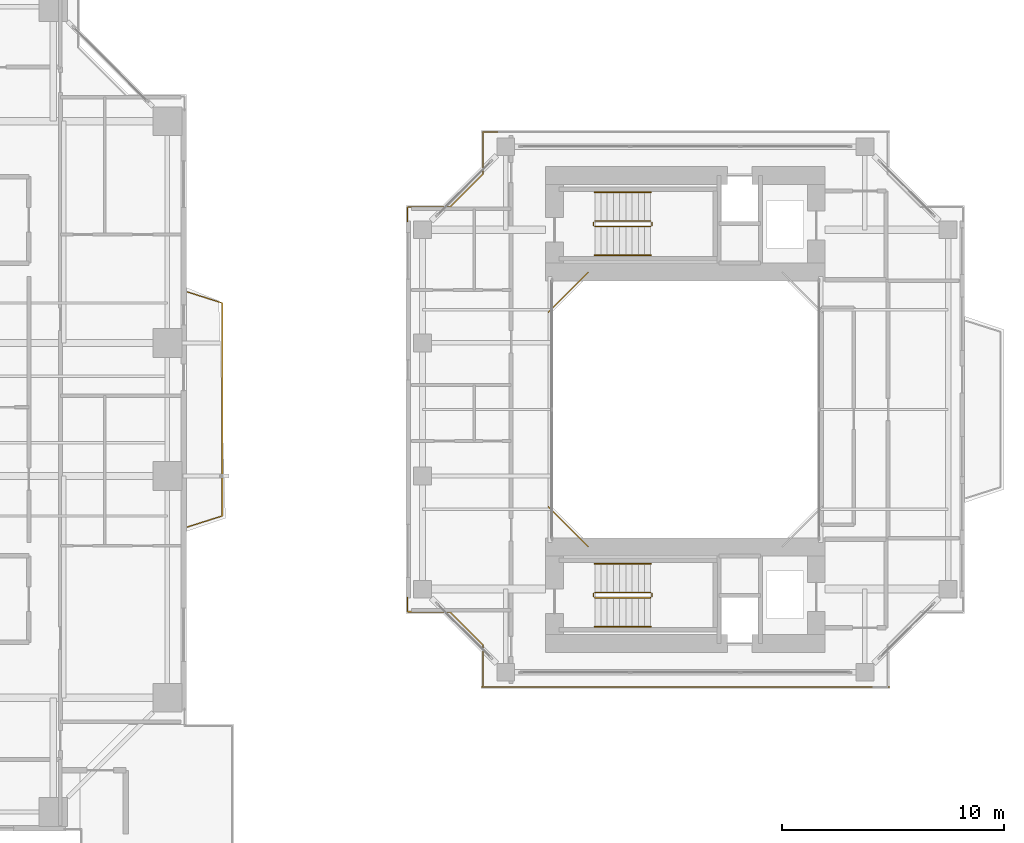
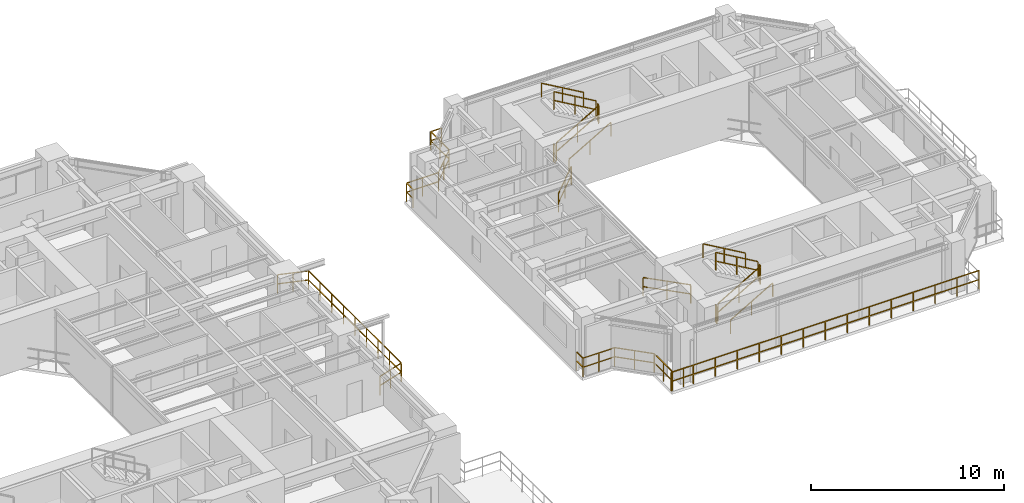
# One storey, part 22 of 23: 18 railings.
"""IFC4 building model written with IfcOpenShell, lengths in metres."""

from ifc_helpers import new_model, si_unit, direction, frame, origin, origin_2d, place, context, subcontext, project, spatial, rectangle, extrude, material, type_object, element, save


model = new_model("IFC4")

# Units and contexts
model_context = context("Model", 3, precision=1e-05, world=origin(), true_north=direction((0.0, 1.0)))
body_context = subcontext(model_context, "Body", "Model", "MODEL_VIEW")
ifc_project = project(units=[si_unit("LENGTHUNIT", "METRE"), si_unit("AREAUNIT", "SQUARE_METRE"), si_unit("VOLUMEUNIT", "CUBIC_METRE"), si_unit("PLANEANGLEUNIT", "RADIAN"), si_unit("MASSUNIT", "GRAM", prefix="KILO"), si_unit("THERMODYNAMICTEMPERATUREUNIT", "KELVIN"), si_unit("POWERUNIT", "WATT")], contexts=[model_context])

# Site, building, storey
site_placement = place(None, origin())
site = spatial("IfcSite", under=ifc_project, at=site_placement, CompositionType="ELEMENT")
building_placement = place(site_placement, origin())
building = spatial("IfcBuilding", under=site, at=building_placement, Name="Qiaomeng Ring Towers", CompositionType="ELEMENT")
storey_placement = place(building_placement, frame((0.0, 0.0, 73.0)))
storey = spatial("IfcBuildingStorey", under=building, at=storey_placement, Name="L20", CompositionType="ELEMENT", Elevation=73.0)

# Railings
ifc_material_1 = material(Name="Low-E pale-green laminated safety glass", Category="glass")
railing_type_1 = type_object("IfcRailingType", Name="ARC-RL-BAL1", PredefinedType="BALUSTRADE", material=ifc_material_1)
railing_1_placement = place(storey_placement, frame((38.050048828125, 17.699951171875, 0.0)))
element("IfcRailing", 1, at=railing_1_placement, inside=storey, type_object=railing_type_1, Name="L20 Balustrade ARC-BAL-L20-T1-E", PredefinedType="BALUSTRADE", context=body_context, shape_type="SweptSolid", body=[
    extrude(rectangle(XDim=0.048095703125, YDim=0.048095703125, at=origin_2d()), frame((0.0, 0.0, 1.17578125), z_axis=(0.952849860715, 0.303442157479, 0.0), x_axis=(-0.303442157479, 0.952849860715, 0.0)), (0.0, 0.0, 1.0), 1.647705078125),
    extrude(rectangle(XDim=0.048095703125, YDim=0.048095703125, at=origin_2d()), frame((0.0, 0.0, 0.60009765625), z_axis=(0.952849860715, 0.303442157479, 0.0), x_axis=(-0.303442157479, 0.952849860715, 0.0)), (0.0, 0.0, 1.0), 1.647705078125),
    extrude(rectangle(XDim=0.048095703125, YDim=0.048095703125, at=origin_2d()), frame((1.570068359375, 0.5, 1.17578125), z_axis=(0.0, 1.0, 0.0), x_axis=(-1.0, 0.0, 0.0)), (0.0, 0.0, 1.0), 9.60009765625),
    extrude(rectangle(XDim=0.048095703125, YDim=0.048095703125, at=origin_2d()), frame((1.570068359375, 0.5, 0.60009765625), z_axis=(0.0, 1.0, 0.0), x_axis=(-1.0, 0.0, 0.0)), (0.0, 0.0, 1.0), 9.60009765625),
    extrude(rectangle(XDim=0.048095703125, YDim=0.048095703125, at=origin_2d()), frame((1.570068359375, 10.10009765625, 1.17578125), z_axis=(-0.952849860715, 0.303442157479, 0.0), x_axis=(-0.303442157479, -0.952849860715, 0.0)), (0.0, 0.0, 1.0), 1.647705078125),
    extrude(rectangle(XDim=0.048095703125, YDim=0.048095703125, at=origin_2d()), frame((1.570068359375, 10.10009765625, 0.60009765625), z_axis=(-0.952849860715, 0.303442157479, 0.0), x_axis=(-0.303442157479, -0.952849860715, 0.0)), (0.0, 0.0, 1.0), 1.647705078125),
    extrude(rectangle(XDim=0.0419921875, YDim=0.0419921875, at=origin_2d()), origin(), (0.0, 0.0, 1.0), 1.15185546875),
    extrude(rectangle(XDim=0.0419921875, YDim=0.0419921875, at=origin_2d()), frame((0.78515625, 0.25, 0.0)), (0.0, 0.0, 1.0), 1.15185546875),
    extrude(rectangle(XDim=0.0419921875, YDim=0.0419921875, at=origin_2d()), frame((1.570068359375, 0.5, 0.0)), (0.0, 0.0, 1.0), 1.15185546875),
    extrude(rectangle(XDim=0.0419921875, YDim=0.0419921875, at=origin_2d()), frame((1.570068359375, 1.699951171875, 0.0)), (0.0, 0.0, 1.0), 1.15185546875),
    extrude(rectangle(XDim=0.0419921875, YDim=0.0419921875, at=origin_2d()), frame((1.570068359375, 2.89990234375, 0.0)), (0.0, 0.0, 1.0), 1.15185546875),
    extrude(rectangle(XDim=0.0419921875, YDim=0.0419921875, at=origin_2d()), frame((1.570068359375, 4.10009765625, 0.0)), (0.0, 0.0, 1.0), 1.15185546875),
    extrude(rectangle(XDim=0.0419921875, YDim=0.0419921875, at=origin_2d()), frame((1.570068359375, 5.300048828125, 0.0)), (0.0, 0.0, 1.0), 1.15185546875),
    extrude(rectangle(XDim=0.0419921875, YDim=0.0419921875, at=origin_2d()), frame((1.570068359375, 6.5, 0.0)), (0.0, 0.0, 1.0), 1.15185546875),
    extrude(rectangle(XDim=0.0419921875, YDim=0.0419921875, at=origin_2d()), frame((1.570068359375, 7.7001953125, 0.0)), (0.0, 0.0, 1.0), 1.15185546875),
    extrude(rectangle(XDim=0.0419921875, YDim=0.0419921875, at=origin_2d()), frame((1.570068359375, 8.900146484375, 0.0)), (0.0, 0.0, 1.0), 1.15185546875),
    extrude(rectangle(XDim=0.0419921875, YDim=0.0419921875, at=origin_2d()), frame((1.570068359375, 10.10009765625, 0.0)), (0.0, 0.0, 1.0), 1.15185546875),
    extrude(rectangle(XDim=0.0419921875, YDim=0.0419921875, at=origin_2d()), frame((0.78515625, 10.35009765625, 0.0)), (0.0, 0.0, 1.0), 1.15185546875),
    extrude(rectangle(XDim=0.0419921875, YDim=0.0419921875, at=origin_2d()), frame((0.0, 10.60009765625, 0.0)), (0.0, 0.0, 1.0), 1.15185546875),
])
railing_2_placement = place(storey_placement, frame((56.1201171875, 29.179931640625, 0.0)))
element("IfcRailing", 2, at=railing_2_placement, inside=storey, type_object=railing_type_1, Name="L20 Balustrade ARC-BAL-WELL2-L20-3", PredefinedType="BALUSTRADE", context=body_context, shape_type="SweptSolid", body=[
    extrude(rectangle(XDim=0.048095703125, YDim=0.048095703125, at=origin_2d()), frame((0.0, 0.0, 1.17578125), z_axis=(-0.707106781187, -0.707106781187, 0.0), x_axis=(0.707106781187, -0.707106781187, 0.0)), (0.0, 0.0, 1.0), 2.545654296875),
    extrude(rectangle(XDim=0.048095703125, YDim=0.048095703125, at=origin_2d()), frame((0.0, 0.0, 0.60009765625), z_axis=(-0.707106781187, -0.707106781187, 0.0), x_axis=(0.707106781187, -0.707106781187, 0.0)), (0.0, 0.0, 1.0), 2.545654296875),
    extrude(rectangle(XDim=0.0419921875, YDim=0.0419921875, at=origin_2d()), origin(), (0.0, 0.0, 1.0), 1.15185546875),
    extrude(rectangle(XDim=0.0419921875, YDim=0.0419921875, at=origin_2d()), frame((-0.89990234375, -0.89990234375, 0.0)), (0.0, 0.0, 1.0), 1.15185546875),
    extrude(rectangle(XDim=0.0419921875, YDim=0.0419921875, at=origin_2d()), frame((-1.800048828125, -1.800048828125, 0.0)), (0.0, 0.0, 1.0), 1.15185546875),
])
railing_3_placement = place(storey_placement, frame((54.320068359375, 18.6201171875, 0.0)))
element("IfcRailing", 3, at=railing_3_placement, inside=storey, type_object=railing_type_1, Name="L20 Balustrade ARC-BAL-WELL2-L20-4", PredefinedType="BALUSTRADE", context=body_context, shape_type="SweptSolid", body=[
    extrude(rectangle(XDim=0.048095703125, YDim=0.048095703125, at=origin_2d()), frame((0.0, 0.0, 1.17578125), z_axis=(0.707106781187, -0.707106781187, 0.0), x_axis=(0.707106781187, 0.707106781187, 0.0)), (0.0, 0.0, 1.0), 2.545654296875),
    extrude(rectangle(XDim=0.048095703125, YDim=0.048095703125, at=origin_2d()), frame((0.0, 0.0, 0.60009765625), z_axis=(0.707106781187, -0.707106781187, 0.0), x_axis=(0.707106781187, 0.707106781187, 0.0)), (0.0, 0.0, 1.0), 2.545654296875),
    extrude(rectangle(XDim=0.0419921875, YDim=0.0419921875, at=origin_2d()), origin(), (0.0, 0.0, 1.0), 1.15185546875),
    extrude(rectangle(XDim=0.0419921875, YDim=0.0419921875, at=origin_2d()), frame((0.89990234375, -0.89990234375, 0.0)), (0.0, 0.0, 1.0), 1.15185546875),
    extrude(rectangle(XDim=0.0419921875, YDim=0.0419921875, at=origin_2d()), frame((1.800048828125, -1.800048828125, 0.0)), (0.0, 0.0, 1.0), 1.15185546875),
])
railing_4_placement = place(storey_placement, frame((52.030029296875, 35.52001953125, 0.0)))
element("IfcRailing", 4, at=railing_4_placement, inside=storey, type_object=railing_type_1, Name="L20 Balustrade ARC-BAL-NOTCH2-L20-NW", PredefinedType="BALUSTRADE", context=body_context, shape_type="SweptSolid", body=[
    extrude(rectangle(XDim=0.048095703125, YDim=0.048095703125, at=origin_2d()), frame((0.0, 0.0, 1.17578125), z_axis=(-1.0, 0.0, 0.0), x_axis=(0.0, -1.0, 0.0)), (0.0, 0.0, 1.0), 0.650146484375),
    extrude(rectangle(XDim=0.048095703125, YDim=0.048095703125, at=origin_2d()), frame((0.0, 0.0, 0.60009765625), z_axis=(-1.0, 0.0, 0.0), x_axis=(0.0, -1.0, 0.0)), (0.0, 0.0, 1.0), 0.650146484375),
    extrude(rectangle(XDim=0.048095703125, YDim=0.048095703125, at=origin_2d()), frame((-0.650146484375, 0.0, 1.17578125), z_axis=(0.0, -1.0, 0.0), x_axis=(1.0, 0.0, 0.0)), (0.0, 0.0, 1.0), 1.89990234375),
    extrude(rectangle(XDim=0.048095703125, YDim=0.048095703125, at=origin_2d()), frame((-0.650146484375, 0.0, 0.60009765625), z_axis=(0.0, -1.0, 0.0), x_axis=(1.0, 0.0, 0.0)), (0.0, 0.0, 1.0), 1.89990234375),
    extrude(rectangle(XDim=0.048095703125, YDim=0.048095703125, at=origin_2d()), frame((-0.650146484375, -1.89990234375, 1.17578125), z_axis=(-0.707106781187, -0.707106781187, 0.0), x_axis=(0.707106781187, -0.707106781187, 0.0)), (0.0, 0.0, 1.0), 2.121337890625),
    extrude(rectangle(XDim=0.048095703125, YDim=0.048095703125, at=origin_2d()), frame((-0.650146484375, -1.89990234375, 0.60009765625), z_axis=(-0.707106781187, -0.707106781187, 0.0), x_axis=(0.707106781187, -0.707106781187, 0.0)), (0.0, 0.0, 1.0), 2.121337890625),
    extrude(rectangle(XDim=0.048095703125, YDim=0.048095703125, at=origin_2d()), frame((-2.150146484375, -3.39990234375, 1.17578125), z_axis=(-1.0, 0.0, 0.0), x_axis=(0.0, -1.0, 0.0)), (0.0, 0.0, 1.0), 1.89990234375),
    extrude(rectangle(XDim=0.048095703125, YDim=0.048095703125, at=origin_2d()), frame((-2.150146484375, -3.39990234375, 0.60009765625), z_axis=(-1.0, 0.0, 0.0), x_axis=(0.0, -1.0, 0.0)), (0.0, 0.0, 1.0), 1.89990234375),
    extrude(rectangle(XDim=0.048095703125, YDim=0.048095703125, at=origin_2d()), frame((-4.050048828125, -3.39990234375, 1.17578125), z_axis=(0.0, -1.0, 0.0), x_axis=(1.0, 0.0, 0.0)), (0.0, 0.0, 1.0), 0.650146484375),
    extrude(rectangle(XDim=0.048095703125, YDim=0.048095703125, at=origin_2d()), frame((-4.050048828125, -3.39990234375, 0.60009765625), z_axis=(0.0, -1.0, 0.0), x_axis=(1.0, 0.0, 0.0)), (0.0, 0.0, 1.0), 0.650146484375),
    extrude(rectangle(XDim=0.0419921875, YDim=0.0419921875, at=origin_2d()), origin(), (0.0, 0.0, 1.0), 1.15185546875),
    extrude(rectangle(XDim=0.0419921875, YDim=0.0419921875, at=origin_2d()), frame((-0.650146484375, 0.0, 0.0)), (0.0, 0.0, 1.0), 1.15185546875),
    extrude(rectangle(XDim=0.0419921875, YDim=0.0419921875, at=origin_2d()), frame((-0.650146484375, -0.949951171875, 0.0)), (0.0, 0.0, 1.0), 1.15185546875),
    extrude(rectangle(XDim=0.0419921875, YDim=0.0419921875, at=origin_2d()), frame((-0.650146484375, -1.89990234375, 0.0)), (0.0, 0.0, 1.0), 1.15185546875),
    extrude(rectangle(XDim=0.0419921875, YDim=0.0419921875, at=origin_2d()), frame((-1.400146484375, -2.64990234375, 0.0)), (0.0, 0.0, 1.0), 1.15185546875),
    extrude(rectangle(XDim=0.0419921875, YDim=0.0419921875, at=origin_2d()), frame((-2.150146484375, -3.39990234375, 0.0)), (0.0, 0.0, 1.0), 1.15185546875),
    extrude(rectangle(XDim=0.0419921875, YDim=0.0419921875, at=origin_2d()), frame((-3.10009765625, -3.39990234375, 0.0)), (0.0, 0.0, 1.0), 1.15185546875),
    extrude(rectangle(XDim=0.0419921875, YDim=0.0419921875, at=origin_2d()), frame((-4.050048828125, -3.39990234375, 0.0)), (0.0, 0.0, 1.0), 1.15185546875),
    extrude(rectangle(XDim=0.0419921875, YDim=0.0419921875, at=origin_2d()), frame((-4.050048828125, -4.050048828125, 0.0)), (0.0, 0.0, 1.0), 1.15185546875),
])
railing_5_placement = place(storey_placement, frame((47.97998046875, 14.530029296875, 0.0)))
element("IfcRailing", 5, at=railing_5_placement, inside=storey, type_object=railing_type_1, Name="L20 Balustrade ARC-BAL-NOTCH2-L20-SW", PredefinedType="BALUSTRADE", context=body_context, shape_type="SweptSolid", body=[
    extrude(rectangle(XDim=0.048095703125, YDim=0.048095703125, at=origin_2d()), frame((0.0, 0.0, 1.17578125), z_axis=(0.0, -1.0, 0.0), x_axis=(1.0, 0.0, 0.0)), (0.0, 0.0, 1.0), 0.650146484375),
    extrude(rectangle(XDim=0.048095703125, YDim=0.048095703125, at=origin_2d()), frame((0.0, 0.0, 0.60009765625), z_axis=(0.0, -1.0, 0.0), x_axis=(1.0, 0.0, 0.0)), (0.0, 0.0, 1.0), 0.650146484375),
    extrude(rectangle(XDim=0.048095703125, YDim=0.048095703125, at=origin_2d()), frame((0.0, -0.650146484375, 1.17578125), z_axis=(1.0, 0.0, 0.0), x_axis=(0.0, 1.0, 0.0)), (0.0, 0.0, 1.0), 1.89990234375),
    extrude(rectangle(XDim=0.048095703125, YDim=0.048095703125, at=origin_2d()), frame((0.0, -0.650146484375, 0.60009765625), z_axis=(1.0, 0.0, 0.0), x_axis=(0.0, 1.0, 0.0)), (0.0, 0.0, 1.0), 1.89990234375),
    extrude(rectangle(XDim=0.048095703125, YDim=0.048095703125, at=origin_2d()), frame((1.89990234375, -0.650146484375, 1.17578125), z_axis=(0.707106781187, -0.707106781187, 0.0), x_axis=(0.707106781187, 0.707106781187, 0.0)), (0.0, 0.0, 1.0), 2.121337890625),
    extrude(rectangle(XDim=0.048095703125, YDim=0.048095703125, at=origin_2d()), frame((1.89990234375, -0.650146484375, 0.60009765625), z_axis=(0.707106781187, -0.707106781187, 0.0), x_axis=(0.707106781187, 0.707106781187, 0.0)), (0.0, 0.0, 1.0), 2.121337890625),
    extrude(rectangle(XDim=0.048095703125, YDim=0.048095703125, at=origin_2d()), frame((3.39990234375, -2.150146484375, 1.17578125), z_axis=(0.0, -1.0, 0.0), x_axis=(1.0, 0.0, 0.0)), (0.0, 0.0, 1.0), 1.89990234375),
    extrude(rectangle(XDim=0.048095703125, YDim=0.048095703125, at=origin_2d()), frame((3.39990234375, -2.150146484375, 0.60009765625), z_axis=(0.0, -1.0, 0.0), x_axis=(1.0, 0.0, 0.0)), (0.0, 0.0, 1.0), 1.89990234375),
    extrude(rectangle(XDim=0.048095703125, YDim=0.048095703125, at=origin_2d()), frame((3.39990234375, -4.050048828125, 1.17578125), z_axis=(1.0, 0.0, 0.0), x_axis=(0.0, 1.0, 0.0)), (0.0, 0.0, 1.0), 0.650146484375),
    extrude(rectangle(XDim=0.048095703125, YDim=0.048095703125, at=origin_2d()), frame((3.39990234375, -4.050048828125, 0.60009765625), z_axis=(1.0, 0.0, 0.0), x_axis=(0.0, 1.0, 0.0)), (0.0, 0.0, 1.0), 0.650146484375),
    extrude(rectangle(XDim=0.0419921875, YDim=0.0419921875, at=origin_2d()), origin(), (0.0, 0.0, 1.0), 1.15185546875),
    extrude(rectangle(XDim=0.0419921875, YDim=0.0419921875, at=origin_2d()), frame((0.0, -0.650146484375, 0.0)), (0.0, 0.0, 1.0), 1.15185546875),
    extrude(rectangle(XDim=0.0419921875, YDim=0.0419921875, at=origin_2d()), frame((0.949951171875, -0.650146484375, 0.0)), (0.0, 0.0, 1.0), 1.15185546875),
    extrude(rectangle(XDim=0.0419921875, YDim=0.0419921875, at=origin_2d()), frame((1.89990234375, -0.650146484375, 0.0)), (0.0, 0.0, 1.0), 1.15185546875),
    extrude(rectangle(XDim=0.0419921875, YDim=0.0419921875, at=origin_2d()), frame((2.64990234375, -1.400146484375, 0.0)), (0.0, 0.0, 1.0), 1.15185546875),
    extrude(rectangle(XDim=0.0419921875, YDim=0.0419921875, at=origin_2d()), frame((3.39990234375, -2.150146484375, 0.0)), (0.0, 0.0, 1.0), 1.15185546875),
    extrude(rectangle(XDim=0.0419921875, YDim=0.0419921875, at=origin_2d()), frame((3.39990234375, -3.10009765625, 0.0)), (0.0, 0.0, 1.0), 1.15185546875),
    extrude(rectangle(XDim=0.0419921875, YDim=0.0419921875, at=origin_2d()), frame((3.39990234375, -4.050048828125, 0.0)), (0.0, 0.0, 1.0), 1.15185546875),
    extrude(rectangle(XDim=0.0419921875, YDim=0.0419921875, at=origin_2d()), frame((4.050048828125, -4.050048828125, 0.0)), (0.0, 0.0, 1.0), 1.15185546875),
])
railing_6_placement = place(storey_placement, frame((51.300048828125, 10.47998046875, 0.0)))
element("IfcRailing", 6, at=railing_6_placement, inside=storey, type_object=railing_type_1, Name="L20 Balustrade ARC-BAL-T2S-L20", PredefinedType="BALUSTRADE", context=body_context, shape_type="SweptSolid", body=[
    extrude(rectangle(XDim=0.048095703125, YDim=0.048095703125, at=origin_2d()), frame((0.0, 0.0, 1.17578125), z_axis=(1.0, 0.0, 0.0), x_axis=(0.0, 1.0, 0.0)), (0.0, 0.0, 1.0), 18.39990234375),
    extrude(rectangle(XDim=0.048095703125, YDim=0.048095703125, at=origin_2d()), frame((0.0, 0.0, 0.60009765625), z_axis=(1.0, 0.0, 0.0), x_axis=(0.0, 1.0, 0.0)), (0.0, 0.0, 1.0), 18.39990234375),
    extrude(rectangle(XDim=0.0419921875, YDim=0.0419921875, at=origin_2d()), origin(), (0.0, 0.0, 1.0), 1.15185546875),
    extrude(rectangle(XDim=0.0419921875, YDim=0.0419921875, at=origin_2d()), frame((1.314208984375, 0.0, 0.0)), (0.0, 0.0, 1.0), 1.15185546875),
    extrude(rectangle(XDim=0.0419921875, YDim=0.0419921875, at=origin_2d()), frame((2.628662109375, 0.0, 0.0)), (0.0, 0.0, 1.0), 1.15185546875),
    extrude(rectangle(XDim=0.0419921875, YDim=0.0419921875, at=origin_2d()), frame((3.94287109375, 0.0, 0.0)), (0.0, 0.0, 1.0), 1.15185546875),
    extrude(rectangle(XDim=0.0419921875, YDim=0.0419921875, at=origin_2d()), frame((5.257080078125, 0.0, 0.0)), (0.0, 0.0, 1.0), 1.15185546875),
    extrude(rectangle(XDim=0.0419921875, YDim=0.0419921875, at=origin_2d()), frame((6.5712890625, 0.0, 0.0)), (0.0, 0.0, 1.0), 1.15185546875),
    extrude(rectangle(XDim=0.0419921875, YDim=0.0419921875, at=origin_2d()), frame((7.8857421875, 0.0, 0.0)), (0.0, 0.0, 1.0), 1.15185546875),
    extrude(rectangle(XDim=0.0419921875, YDim=0.0419921875, at=origin_2d()), frame((9.199951171875, 0.0, 0.0)), (0.0, 0.0, 1.0), 1.15185546875),
    extrude(rectangle(XDim=0.0419921875, YDim=0.0419921875, at=origin_2d()), frame((10.51416015625, 0.0, 0.0)), (0.0, 0.0, 1.0), 1.15185546875),
    extrude(rectangle(XDim=0.0419921875, YDim=0.0419921875, at=origin_2d()), frame((11.82861328125, 0.0, 0.0)), (0.0, 0.0, 1.0), 1.15185546875),
    extrude(rectangle(XDim=0.0419921875, YDim=0.0419921875, at=origin_2d()), frame((13.142822265625, 0.0, 0.0)), (0.0, 0.0, 1.0), 1.15185546875),
    extrude(rectangle(XDim=0.0419921875, YDim=0.0419921875, at=origin_2d()), frame((14.45703125, 0.0, 0.0)), (0.0, 0.0, 1.0), 1.15185546875),
    extrude(rectangle(XDim=0.0419921875, YDim=0.0419921875, at=origin_2d()), frame((15.771240234375, 0.0, 0.0)), (0.0, 0.0, 1.0), 1.15185546875),
    extrude(rectangle(XDim=0.0419921875, YDim=0.0419921875, at=origin_2d()), frame((17.085693359375, 0.0, 0.0)), (0.0, 0.0, 1.0), 1.15185546875),
    extrude(rectangle(XDim=0.0419921875, YDim=0.0419921875, at=origin_2d()), frame((18.39990234375, 0.0, 0.0)), (0.0, 0.0, 1.0), 1.15185546875),
])
ifc_material_2 = material(Name="Galvanised steel", Category="steel")
railing_type_2 = type_object("IfcRailingType", Name="ARC-RL-GUARD", PredefinedType="GUARDRAIL", material=ifc_material_2)
railing_7_placement = place(storey_placement, frame((56.419921875, 31.25, 0.16259765625)))
element("IfcRailing", 7, at=railing_7_placement, inside=storey, type_object=railing_type_2, Name="L20 ST5 stair guard 1", PredefinedType="GUARDRAIL", context=body_context, shape_type="SweptSolid", body=[
    extrude(rectangle(XDim=0.048095703125, YDim=0.048095703125, at=origin_2d()), frame((0.0, 0.0, 1.1259765625), z_axis=(0.864913338283, 0.0, 0.50192122615), x_axis=(0.0, 1.0, 0.0)), (0.0, 0.0, 1.0), 2.91357421875),
    extrude(rectangle(XDim=0.048095703125, YDim=0.048095703125, at=origin_2d()), frame((0.0, 0.0, 0.574951171875), z_axis=(0.864913338283, 0.0, 0.50192122615), x_axis=(0.0, 1.0, 0.0)), (0.0, 0.0, 1.0), 2.91357421875),
    extrude(rectangle(XDim=0.0419921875, YDim=0.0419921875, at=origin_2d()), origin(), (0.0, 0.0, 1.0), 1.101806640625),
    extrude(rectangle(XDim=0.0419921875, YDim=0.0419921875, at=origin_2d()), frame((1.260009765625, 0.0, 0.731201171875)), (0.0, 0.0, 1.0), 1.101806640625),
    extrude(rectangle(XDim=0.0419921875, YDim=0.0419921875, at=origin_2d()), frame((2.52001953125, 0.0, 1.46240234375)), (0.0, 0.0, 1.0), 1.101806640625),
])
railing_8_placement = place(storey_placement, frame((58.989990234375, 31.300048828125, 1.625)))
element("IfcRailing", 8, at=railing_8_placement, inside=storey, type_object=railing_type_2, Name="L20 ST5 stair guard 2", PredefinedType="GUARDRAIL", context=body_context, shape_type="SweptSolid", body=[
    extrude(rectangle(XDim=0.048095703125, YDim=0.048095703125, at=origin_2d()), frame((0.0, 0.0, 1.1259765625), z_axis=(0.0, 1.0, 0.0), x_axis=(-1.0, 0.0, 0.0)), (0.0, 0.0, 1.0), 0.139892578125),
    extrude(rectangle(XDim=0.048095703125, YDim=0.048095703125, at=origin_2d()), frame((0.0, 0.0, 0.574951171875), z_axis=(0.0, 1.0, 0.0), x_axis=(-1.0, 0.0, 0.0)), (0.0, 0.0, 1.0), 0.139892578125),
    extrude(rectangle(XDim=0.0419921875, YDim=0.0419921875, at=origin_2d()), origin(), (0.0, 0.0, 1.0), 1.101806640625),
    extrude(rectangle(XDim=0.0419921875, YDim=0.0419921875, at=origin_2d()), frame((0.0, 0.139892578125, 0.0)), (0.0, 0.0, 1.0), 1.101806640625),
])
railing_9_placement = place(storey_placement, frame((58.93994140625, 31.489990234375, 1.78759765625)))
element("IfcRailing", 9, at=railing_9_placement, inside=storey, type_object=railing_type_2, Name="L20 ST5 stair guard 3", PredefinedType="GUARDRAIL", context=body_context, shape_type="SweptSolid", body=[
    extrude(rectangle(XDim=0.048095703125, YDim=0.048095703125, at=origin_2d()), frame((0.0, 0.0, 1.1259765625), z_axis=(-0.864913338283, 0.0, 0.50192122615), x_axis=(0.0, -1.0, 0.0)), (0.0, 0.0, 1.0), 2.91357421875),
    extrude(rectangle(XDim=0.048095703125, YDim=0.048095703125, at=origin_2d()), frame((0.0, 0.0, 0.574951171875), z_axis=(-0.864913338283, 0.0, 0.50192122615), x_axis=(0.0, -1.0, 0.0)), (0.0, 0.0, 1.0), 2.91357421875),
    extrude(rectangle(XDim=0.0419921875, YDim=0.0419921875, at=origin_2d()), origin(), (0.0, 0.0, 1.0), 1.101806640625),
    extrude(rectangle(XDim=0.0419921875, YDim=0.0419921875, at=origin_2d()), frame((-1.260009765625, 0.0, 0.731201171875)), (0.0, 0.0, 1.0), 1.101806640625),
    extrude(rectangle(XDim=0.0419921875, YDim=0.0419921875, at=origin_2d()), frame((-2.52001953125, 0.0, 1.46240234375)), (0.0, 0.0, 1.0), 1.101806640625),
])
railing_10_placement = place(storey_placement, frame((56.3701171875, 31.300048828125, 0.0)))
element("IfcRailing", 10, at=railing_10_placement, inside=storey, type_object=railing_type_2, Name="L20 ST5 stair guard 4", PredefinedType="GUARDRAIL", context=body_context, shape_type="SweptSolid", body=[
    extrude(rectangle(XDim=0.048095703125, YDim=0.048095703125, at=origin_2d()), frame((0.0, 0.0, 1.1259765625), z_axis=(0.0, 1.0, 0.0), x_axis=(-1.0, 0.0, 0.0)), (0.0, 0.0, 1.0), 0.139892578125),
    extrude(rectangle(XDim=0.048095703125, YDim=0.048095703125, at=origin_2d()), frame((0.0, 0.0, 0.574951171875), z_axis=(0.0, 1.0, 0.0), x_axis=(-1.0, 0.0, 0.0)), (0.0, 0.0, 1.0), 0.139892578125),
    extrude(rectangle(XDim=0.0419921875, YDim=0.0419921875, at=origin_2d()), origin(), (0.0, 0.0, 1.0), 1.101806640625),
    extrude(rectangle(XDim=0.0419921875, YDim=0.0419921875, at=origin_2d()), frame((0.0, 0.139892578125, 0.0)), (0.0, 0.0, 1.0), 1.101806640625),
])
railing_11_placement = place(storey_placement, frame((56.419921875, 14.510009765625, 0.16259765625)))
element("IfcRailing", 11, at=railing_11_placement, inside=storey, type_object=railing_type_2, Name="L20 ST6 stair guard 1", PredefinedType="GUARDRAIL", context=body_context, shape_type="SweptSolid", body=[
    extrude(rectangle(XDim=0.048095703125, YDim=0.048095703125, at=origin_2d()), frame((0.0, 0.0, 1.1259765625), z_axis=(0.864913338283, 0.0, 0.50192122615), x_axis=(0.0, 1.0, 0.0)), (0.0, 0.0, 1.0), 2.91357421875),
    extrude(rectangle(XDim=0.048095703125, YDim=0.048095703125, at=origin_2d()), frame((0.0, 0.0, 0.574951171875), z_axis=(0.864913338283, 0.0, 0.50192122615), x_axis=(0.0, 1.0, 0.0)), (0.0, 0.0, 1.0), 2.91357421875),
    extrude(rectangle(XDim=0.0419921875, YDim=0.0419921875, at=origin_2d()), origin(), (0.0, 0.0, 1.0), 1.101806640625),
    extrude(rectangle(XDim=0.0419921875, YDim=0.0419921875, at=origin_2d()), frame((1.260009765625, 0.0, 0.731201171875)), (0.0, 0.0, 1.0), 1.101806640625),
    extrude(rectangle(XDim=0.0419921875, YDim=0.0419921875, at=origin_2d()), frame((2.52001953125, 0.0, 1.46240234375)), (0.0, 0.0, 1.0), 1.101806640625),
])
railing_12_placement = place(storey_placement, frame((58.989990234375, 14.56005859375, 1.625)))
element("IfcRailing", 12, at=railing_12_placement, inside=storey, type_object=railing_type_2, Name="L20 ST6 stair guard 2", PredefinedType="GUARDRAIL", context=body_context, shape_type="SweptSolid", body=[
    extrude(rectangle(XDim=0.048095703125, YDim=0.048095703125, at=origin_2d()), frame((0.0, 0.0, 1.1259765625), z_axis=(0.0, 1.0, 0.0), x_axis=(-1.0, 0.0, 0.0)), (0.0, 0.0, 1.0), 0.139892578125),
    extrude(rectangle(XDim=0.048095703125, YDim=0.048095703125, at=origin_2d()), frame((0.0, 0.0, 0.574951171875), z_axis=(0.0, 1.0, 0.0), x_axis=(-1.0, 0.0, 0.0)), (0.0, 0.0, 1.0), 0.139892578125),
    extrude(rectangle(XDim=0.0419921875, YDim=0.0419921875, at=origin_2d()), origin(), (0.0, 0.0, 1.0), 1.101806640625),
    extrude(rectangle(XDim=0.0419921875, YDim=0.0419921875, at=origin_2d()), frame((0.0, 0.139892578125, 0.0)), (0.0, 0.0, 1.0), 1.101806640625),
])
railing_13_placement = place(storey_placement, frame((58.93994140625, 14.75, 1.78759765625)))
element("IfcRailing", 13, at=railing_13_placement, inside=storey, type_object=railing_type_2, Name="L20 ST6 stair guard 3", PredefinedType="GUARDRAIL", context=body_context, shape_type="SweptSolid", body=[
    extrude(rectangle(XDim=0.048095703125, YDim=0.048095703125, at=origin_2d()), frame((0.0, 0.0, 1.1259765625), z_axis=(-0.864913338283, 0.0, 0.50192122615), x_axis=(0.0, -1.0, 0.0)), (0.0, 0.0, 1.0), 2.91357421875),
    extrude(rectangle(XDim=0.048095703125, YDim=0.048095703125, at=origin_2d()), frame((0.0, 0.0, 0.574951171875), z_axis=(-0.864913338283, 0.0, 0.50192122615), x_axis=(0.0, -1.0, 0.0)), (0.0, 0.0, 1.0), 2.91357421875),
    extrude(rectangle(XDim=0.0419921875, YDim=0.0419921875, at=origin_2d()), origin(), (0.0, 0.0, 1.0), 1.101806640625),
    extrude(rectangle(XDim=0.0419921875, YDim=0.0419921875, at=origin_2d()), frame((-1.260009765625, 0.0, 0.731201171875)), (0.0, 0.0, 1.0), 1.101806640625),
    extrude(rectangle(XDim=0.0419921875, YDim=0.0419921875, at=origin_2d()), frame((-2.52001953125, 0.0, 1.46240234375)), (0.0, 0.0, 1.0), 1.101806640625),
])
railing_14_placement = place(storey_placement, frame((56.3701171875, 14.56005859375, 0.0)))
element("IfcRailing", 14, at=railing_14_placement, inside=storey, type_object=railing_type_2, Name="L20 ST6 stair guard 4", PredefinedType="GUARDRAIL", context=body_context, shape_type="SweptSolid", body=[
    extrude(rectangle(XDim=0.048095703125, YDim=0.048095703125, at=origin_2d()), frame((0.0, 0.0, 1.1259765625), z_axis=(0.0, 1.0, 0.0), x_axis=(-1.0, 0.0, 0.0)), (0.0, 0.0, 1.0), 0.139892578125),
    extrude(rectangle(XDim=0.048095703125, YDim=0.048095703125, at=origin_2d()), frame((0.0, 0.0, 0.574951171875), z_axis=(0.0, 1.0, 0.0), x_axis=(-1.0, 0.0, 0.0)), (0.0, 0.0, 1.0), 0.139892578125),
    extrude(rectangle(XDim=0.0419921875, YDim=0.0419921875, at=origin_2d()), origin(), (0.0, 0.0, 1.0), 1.101806640625),
    extrude(rectangle(XDim=0.0419921875, YDim=0.0419921875, at=origin_2d()), frame((0.0, 0.139892578125, 0.0)), (0.0, 0.0, 1.0), 1.101806640625),
])
ifc_material_3 = material(Name="Stainless steel 316", Category="steel")
railing_type_3 = type_object("IfcRailingType", Name="ARC-RL-HAND", PredefinedType="HANDRAIL", material=ifc_material_3)
railing_15_placement = place(storey_placement, frame((56.419921875, 29.949951171875, 0.16259765625)))
element("IfcRailing", 15, at=railing_15_placement, inside=storey, type_object=railing_type_3, Name="L20 ST5 stair handrail 1", PredefinedType="HANDRAIL", context=body_context, shape_type="SweptSolid", body=[
    extrude(rectangle(XDim=0.048095703125, YDim=0.048095703125, at=origin_2d()), frame((0.0, 0.0, 0.8759765625), z_axis=(0.864913338283, 0.0, 0.50192122615), x_axis=(0.0, 1.0, 0.0)), (0.0, 0.0, 1.0), 2.91357421875),
    extrude(rectangle(XDim=0.0419921875, YDim=0.0419921875, at=origin_2d()), origin(), (0.0, 0.0, 1.0), 0.851806640625),
    extrude(rectangle(XDim=0.0419921875, YDim=0.0419921875, at=origin_2d()), frame((1.260009765625, 0.0, 0.731201171875)), (0.0, 0.0, 1.0), 0.851806640625),
    extrude(rectangle(XDim=0.0419921875, YDim=0.0419921875, at=origin_2d()), frame((2.52001953125, 0.0, 1.46240234375)), (0.0, 0.0, 1.0), 0.851806640625),
])
railing_16_placement = place(storey_placement, frame((58.93994140625, 32.7900390625, 1.78759765625)))
element("IfcRailing", 16, at=railing_16_placement, inside=storey, type_object=railing_type_3, Name="L20 ST5 stair handrail 2", PredefinedType="HANDRAIL", context=body_context, shape_type="SweptSolid", body=[
    extrude(rectangle(XDim=0.048095703125, YDim=0.048095703125, at=origin_2d()), frame((0.0, 0.0, 0.8759765625), z_axis=(-0.864913338283, 0.0, 0.50192122615), x_axis=(0.0, -1.0, 0.0)), (0.0, 0.0, 1.0), 2.91357421875),
    extrude(rectangle(XDim=0.0419921875, YDim=0.0419921875, at=origin_2d()), origin(), (0.0, 0.0, 1.0), 0.851806640625),
    extrude(rectangle(XDim=0.0419921875, YDim=0.0419921875, at=origin_2d()), frame((-1.260009765625, 0.0, 0.731201171875)), (0.0, 0.0, 1.0), 0.851806640625),
    extrude(rectangle(XDim=0.0419921875, YDim=0.0419921875, at=origin_2d()), frame((-2.52001953125, 0.0, 1.46240234375)), (0.0, 0.0, 1.0), 0.851806640625),
])
railing_17_placement = place(storey_placement, frame((56.419921875, 13.2099609375, 0.16259765625)))
element("IfcRailing", 17, at=railing_17_placement, inside=storey, type_object=railing_type_3, Name="L20 ST6 stair handrail 1", PredefinedType="HANDRAIL", context=body_context, shape_type="SweptSolid", body=[
    extrude(rectangle(XDim=0.048095703125, YDim=0.048095703125, at=origin_2d()), frame((0.0, 0.0, 0.8759765625), z_axis=(0.864913338283, 0.0, 0.50192122615), x_axis=(0.0, 1.0, 0.0)), (0.0, 0.0, 1.0), 2.91357421875),
    extrude(rectangle(XDim=0.0419921875, YDim=0.0419921875, at=origin_2d()), origin(), (0.0, 0.0, 1.0), 0.851806640625),
    extrude(rectangle(XDim=0.0419921875, YDim=0.0419921875, at=origin_2d()), frame((1.260009765625, 0.0, 0.731201171875)), (0.0, 0.0, 1.0), 0.851806640625),
    extrude(rectangle(XDim=0.0419921875, YDim=0.0419921875, at=origin_2d()), frame((2.52001953125, 0.0, 1.46240234375)), (0.0, 0.0, 1.0), 0.851806640625),
])
railing_18_placement = place(storey_placement, frame((58.93994140625, 16.050048828125, 1.78759765625)))
element("IfcRailing", 18, at=railing_18_placement, inside=storey, type_object=railing_type_3, Name="L20 ST6 stair handrail 2", PredefinedType="HANDRAIL", context=body_context, shape_type="SweptSolid", body=[
    extrude(rectangle(XDim=0.048095703125, YDim=0.048095703125, at=origin_2d()), frame((0.0, 0.0, 0.8759765625), z_axis=(-0.864913338283, 0.0, 0.50192122615), x_axis=(0.0, -1.0, 0.0)), (0.0, 0.0, 1.0), 2.91357421875),
    extrude(rectangle(XDim=0.0419921875, YDim=0.0419921875, at=origin_2d()), origin(), (0.0, 0.0, 1.0), 0.851806640625),
    extrude(rectangle(XDim=0.0419921875, YDim=0.0419921875, at=origin_2d()), frame((-1.260009765625, 0.0, 0.731201171875)), (0.0, 0.0, 1.0), 0.851806640625),
    extrude(rectangle(XDim=0.0419921875, YDim=0.0419921875, at=origin_2d()), frame((-2.52001953125, 0.0, 1.46240234375)), (0.0, 0.0, 1.0), 0.851806640625),
])

save(model, "model.ifc")
